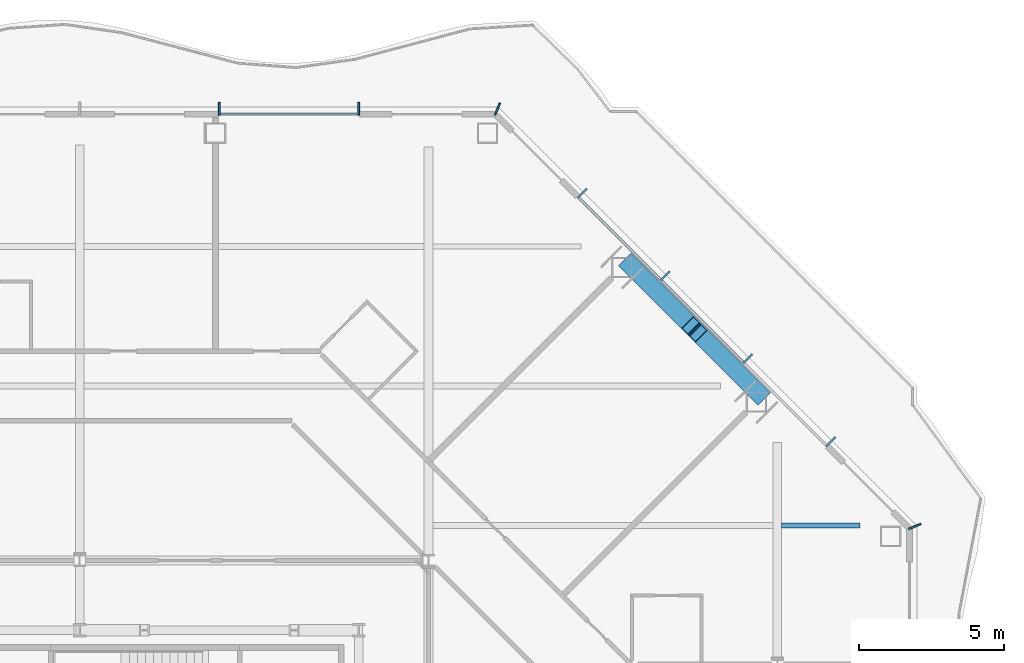
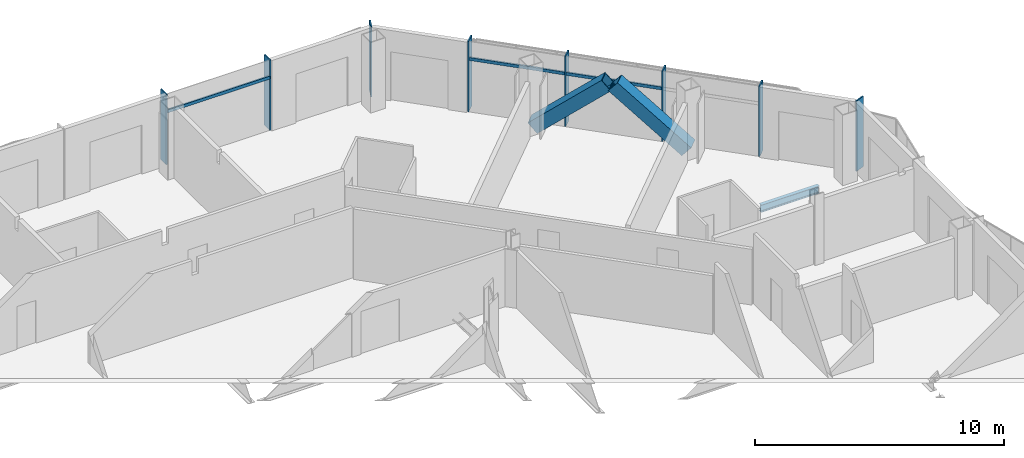
# One storey, part 6 of 24: 13 members, 1 beam, 2 elements without a shape of their own.
"""IFC4 building model written with IfcOpenShell, lengths in metres."""

from ifc_helpers import new_model, si_unit, direction, frame, origin, origin_2d, place, context, subcontext, project, spatial, rectangle, hollow_rectangle, i_section, extrude, material, material_profile, profile_set, type_object, element, aggregate, save


model = new_model("IFC4")

# Units and contexts
model_context = context("Model", 3, precision=1e-05, world=origin(), true_north=direction((0.0, 1.0)))
body_context = subcontext(model_context, "Body", "Model", "MODEL_VIEW")
ifc_project = project(units=[si_unit("LENGTHUNIT", "METRE"), si_unit("AREAUNIT", "SQUARE_METRE"), si_unit("VOLUMEUNIT", "CUBIC_METRE"), si_unit("PLANEANGLEUNIT", "RADIAN"), si_unit("MASSUNIT", "GRAM", prefix="KILO")], contexts=[model_context])

# Site, building, storey
site_placement = place(None, origin())
site = spatial("IfcSite", under=ifc_project, at=site_placement, CompositionType="ELEMENT")
building_placement = place(site_placement, origin())
building = spatial("IfcBuilding", under=site, at=building_placement, Name="Cairn Pilgrim Tower", CompositionType="ELEMENT")
storey_placement = place(building_placement, frame((0.0, 0.0, 125.39990234375)))
storey = spatial("IfcBuildingStorey", under=building, at=storey_placement, Name="L30", CompositionType="ELEMENT", Elevation=125.39990234375)

# Members
ifc_material_1 = material(Name="Structural steel S460M", Category="steel")
ifc_material_profile_1 = material_profile(ifc_material_1, hollow_rectangle(XDim=0.60009765625, YDim=0.60009765625, WallThickness=0.034912109375, at=origin_2d()), Name="BOX 600x600x35")
ifc_profile_set_1 = profile_set([ifc_material_profile_1], Name="Structural steel S460M")
member_type_1 = type_object("IfcMemberType", Name="BOX 600x600x35 BRACE", PredefinedType="BRACE", material=ifc_profile_set_1)
for number, where, z_axis, x_axis, name in (
    (1, (30.613525390625, 18.888427734375, 0.150146484375), (-0.535551349337, 0.535551349337, 0.652969757681), (-0.707106781187, -0.707106781187, 0.0), "XB-NE2-NE3-1"),
    (2, (26.08837890625, 23.41357421875, 0.150146484375), (0.535594490476, -0.535533998665, 0.652948602913), (0.707066846316, 0.707146713802, 0.0), "XB-NE2-NE3-2"),
):
    element("IfcMember", number, at=place(storey_placement, frame(where, z_axis=z_axis, x_axis=x_axis)), inside=storey, type_object=member_type_1, Name=name, PredefinedType="BRACE", context=body_context, shape_type="SweptSolid", body=[
        extrude(hollow_rectangle(XDim=0.60009765625, YDim=0.60009765625, WallThickness=0.034912109375, at=origin_2d()), origin(), (0.0, 0.0, 1.0), 4.035888671875),
    ])

# Curtain wall, members
ifc_material_2 = material(Name="Aluminium alloy 6063-T6 bronze anodised with Bronze tinted laminated low-E glass 8+16+8.8", Category="aluminium")
curtain_wall_type = type_object("IfcCurtainWallType", Name="FULL HEIGHT CURTAIN WALL", PredefinedType="NOTDEFINED", material=ifc_material_2)
curtain_wall_1_placement = place(storey_placement, origin())
curtain_wall_1 = element("IfcCurtainWall", 3, at=curtain_wall_1_placement, inside=storey, type_object=curtain_wall_type, Name="Full Height Curtain Wall NE", PredefinedType="NOTDEFINED")
ifc_material_3 = material(Name="Aluminium alloy 6063-T6 bronze anodised", Category="aluminium")
ifc_material_profile_2 = material_profile(ifc_material_3, rectangle(XDim=0.449951171875, YDim=0.06005859375, at=origin_2d()), Name="FIN MULLION 60x450 BRONZE")
ifc_profile_set_2 = profile_set([ifc_material_profile_2], Name="Aluminium alloy 6063-T6 bronze anodised")
member_type_2 = type_object("IfcMemberType", Name="FIN MULLION 60x450 BRONZE", PredefinedType="MULLION", material=ifc_profile_set_2)
member_1_placement = place(storey_placement, frame((35.93017578125, 14.37109375, 0.0), z_axis=(0.0, 0.0, 1.0), x_axis=(0.923879532511, 0.382683432365, 0.0)))
member_1 = element("IfcMember", 4, at=member_1_placement, type_object=member_type_2, Name="Fin mullion NE1", PredefinedType="MULLION", context=body_context, shape_type="SweptSolid", body=[
    extrude(rectangle(XDim=0.449951171875, YDim=0.06005859375, at=origin_2d()), origin(), (0.0, 0.0, 1.0), 3.4501953125),
])
member_2_placement = place(storey_placement, frame((33.037109375, 17.28515625, 0.0), z_axis=(0.0, 0.0, 1.0), x_axis=(0.707106781187, 0.707106781187, 0.0)))
member_2 = element("IfcMember", 5, at=member_2_placement, type_object=member_type_2, Name="Fin mullion NE2", PredefinedType="MULLION", context=body_context, shape_type="SweptSolid", body=[
    extrude(rectangle(XDim=0.449951171875, YDim=0.06005859375, at=origin_2d()), origin(), (0.0, 0.0, 1.0), 3.4501953125),
])
member_3_placement = place(storey_placement, frame((30.1865234375, 20.1357421875, 0.0), z_axis=(0.0, 0.0, 1.0), x_axis=(0.707106781187, 0.707106781187, 0.0)))
member_3 = element("IfcMember", 6, at=member_3_placement, type_object=member_type_2, Name="Fin mullion NE3", PredefinedType="MULLION", context=body_context, shape_type="SweptSolid", body=[
    extrude(rectangle(XDim=0.449951171875, YDim=0.06005859375, at=origin_2d()), origin(), (0.0, 0.0, 1.0), 3.4501953125),
])
member_4_placement = place(storey_placement, frame((27.335693359375, 22.986572265625, 0.0), z_axis=(0.0, 0.0, 1.0), x_axis=(0.707106781187, 0.707106781187, 0.0)))
member_4 = element("IfcMember", 7, at=member_4_placement, type_object=member_type_2, Name="Fin mullion NE4", PredefinedType="MULLION", context=body_context, shape_type="SweptSolid", body=[
    extrude(rectangle(XDim=0.449951171875, YDim=0.06005859375, at=origin_2d()), origin(), (0.0, 0.0, 1.0), 3.4501953125),
])
member_5_placement = place(storey_placement, frame((24.485107421875, 25.837158203125, 0.0), z_axis=(0.0, 0.0, 1.0), x_axis=(0.707106781187, 0.707106781187, 0.0)))
member_5 = element("IfcMember", 8, at=member_5_placement, type_object=member_type_2, Name="Fin mullion NE5", PredefinedType="MULLION", context=body_context, shape_type="SweptSolid", body=[
    extrude(rectangle(XDim=0.449951171875, YDim=0.06005859375, at=origin_2d()), origin(), (0.0, 0.0, 1.0), 3.4501953125),
])

curtain_wall_2_placement = place(storey_placement, origin())
curtain_wall_2 = element("IfcCurtainWall", 9, at=curtain_wall_2_placement, inside=storey, type_object=curtain_wall_type, Name="Full Height Curtain Wall N", PredefinedType="NOTDEFINED")
member_6_placement = place(storey_placement, frame((21.571044921875, 28.730224609375, 0.0), z_axis=(0.0, 0.0, 1.0), x_axis=(0.382683432365, 0.923879532511, 0.0)))
member_6 = element("IfcMember", 10, at=member_6_placement, type_object=member_type_2, Name="Fin mullion N1", PredefinedType="MULLION", context=body_context, shape_type="SweptSolid", body=[
    extrude(rectangle(XDim=0.449951171875, YDim=0.06005859375, at=origin_2d()), origin(), (0.0, 0.0, 1.0), 3.4501953125),
])
member_7_placement = place(storey_placement, frame((16.800048828125, 28.7451171875, 0.0), z_axis=(0.0, 0.0, 1.0), x_axis=(0.0, 1.0, 0.0)))
member_7 = element("IfcMember", 11, at=member_7_placement, type_object=member_type_2, Name="Fin mullion N2", PredefinedType="MULLION", context=body_context, shape_type="SweptSolid", body=[
    extrude(rectangle(XDim=0.449951171875, YDim=0.06005859375, at=origin_2d()), origin(), (0.0, 0.0, 1.0), 3.4501953125),
])
member_8_placement = place(storey_placement, frame((12.0, 28.7451171875, 0.0), z_axis=(0.0, 0.0, 1.0), x_axis=(0.0, 1.0, 0.0)))
member_8 = element("IfcMember", 12, at=member_8_placement, type_object=member_type_2, Name="Fin mullion N3", PredefinedType="MULLION", context=body_context, shape_type="SweptSolid", body=[
    extrude(rectangle(XDim=0.449951171875, YDim=0.06005859375, at=origin_2d()), origin(), (0.0, 0.0, 1.0), 3.4501953125),
])

# Beam
ifc_material_4 = material(Name="Structural steel S355J2", Category="steel")
ifc_material_profile_3 = material_profile(ifc_material_4, i_section(OverallWidth=0.169921875, OverallDepth=0.360107421875, WebThickness=0.008056640625, FlangeThickness=0.0126953125, FilletRadius=0.01806640625, at=origin_2d()), Name="IPE 360")
ifc_profile_set_3 = profile_set([ifc_material_profile_3], Name="Structural steel S355J2")
beam_type = type_object("IfcBeamType", Name="IPE 360 SECONDARY BEAM", PredefinedType="JOIST", material=ifc_profile_set_3)
beam_placement = place(storey_placement, frame((31.35009765625, 14.39990234375, -0.329833984375), z_axis=(1.0, 0.0, 0.0), x_axis=(0.0, 1.0, 0.0)))
element("IfcBeam", 13, at=beam_placement, inside=storey, type_object=beam_type, Name="SB7-4", PredefinedType="JOIST", context=body_context, shape_type="SweptSolid", body=[
    extrude(i_section(OverallWidth=0.169921875, OverallDepth=0.360107421875, WebThickness=0.008056640625, FlangeThickness=0.0126953125, FilletRadius=0.01806640625, at=origin_2d()), origin(), (0.0, 0.0, 1.0), 2.699951171875),
])

# Member
ifc_material_profile_4 = material_profile(ifc_material_3, rectangle(XDim=0.080078125, YDim=0.14990234375, at=origin_2d()), Name="TRANSOM 80x150 BRONZE")
ifc_profile_set_4 = profile_set([ifc_material_profile_4], Name="Aluminium alloy 6063-T6 bronze anodised")
member_type_3 = type_object("IfcMemberType", Name="TRANSOM 80x150 BRONZE", PredefinedType="USERDEFINED", material=ifc_profile_set_4)
member_9_placement = place(storey_placement, frame((30.02734375, 20.01904296875, 2.60009765625), z_axis=(-0.707106781187, 0.707106781187, 0.0), x_axis=(-0.707106781187, -0.707106781187, 0.0)))
member_9 = element("IfcMember", 14, at=member_9_placement, type_object=member_type_3, Name="Transom NE3", ObjectType="TRANSOM", PredefinedType="USERDEFINED", context=body_context, shape_type="SweptSolid", body=[
    extrude(rectangle(XDim=0.080078125, YDim=0.14990234375, at=origin_2d()), origin(), (0.0, 0.0, 1.0), 3.9716796875),
])

member_10_placement = place(storey_placement, frame((27.1767578125, 22.869873046875, 2.60009765625), z_axis=(-0.70713751761, 0.707076043427, 0.0), x_axis=(-0.707076043427, -0.70713751761, 0.0)))
member_10 = element("IfcMember", 15, at=member_10_placement, type_object=member_type_3, Name="Transom NE4", ObjectType="TRANSOM", PredefinedType="USERDEFINED", context=body_context, shape_type="SweptSolid", body=[
    extrude(rectangle(XDim=0.080078125, YDim=0.14990234375, at=origin_2d()), origin(), (0.0, 0.0, 1.0), 3.971435546875),
])

aggregate(curtain_wall_1, [member_1, member_2, member_3, member_4, member_5, member_9, member_10])

member_11_placement = place(storey_placement, frame((16.77001953125, 28.550048828125, 2.60009765625), z_axis=(-1.0, 0.0, 0.0), x_axis=(0.0, -1.0, 0.0)))
member_11 = element("IfcMember", 16, at=member_11_placement, type_object=member_type_3, Name="Transom N2", ObjectType="TRANSOM", PredefinedType="USERDEFINED", context=body_context, shape_type="SweptSolid", body=[
    extrude(rectangle(XDim=0.080078125, YDim=0.14990234375, at=origin_2d()), origin(), (0.0, 0.0, 1.0), 4.739990234375),
])

aggregate(curtain_wall_2, [member_6, member_7, member_8, member_11])

save(model, "model.ifc")
